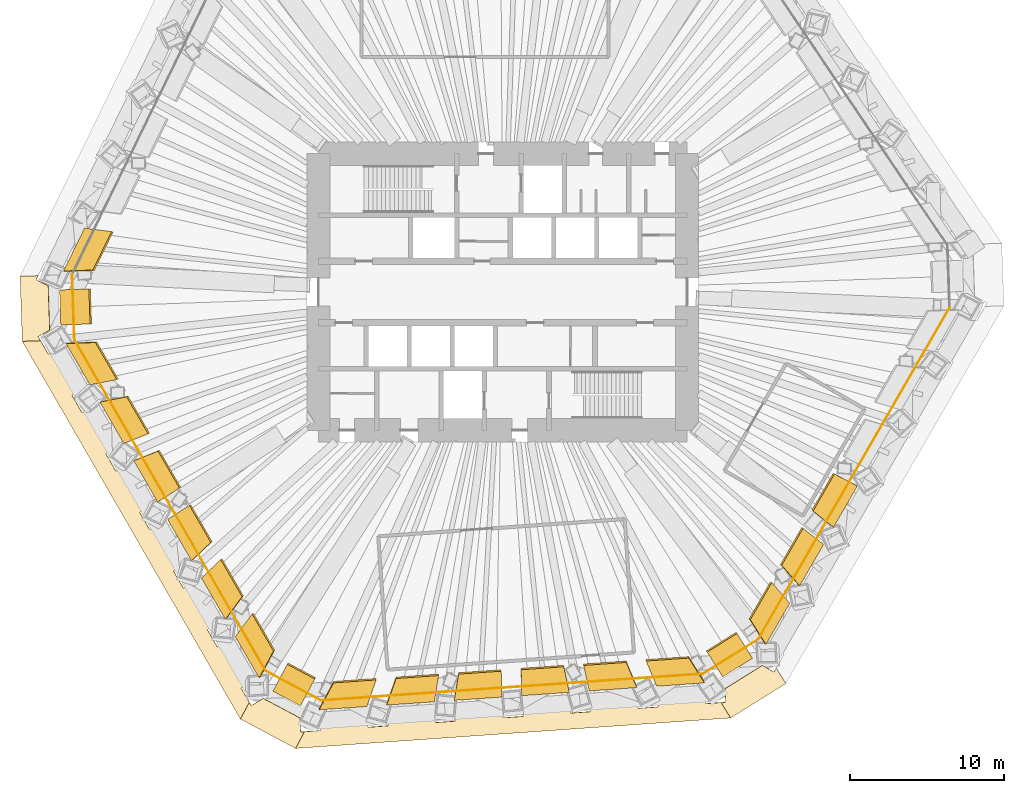
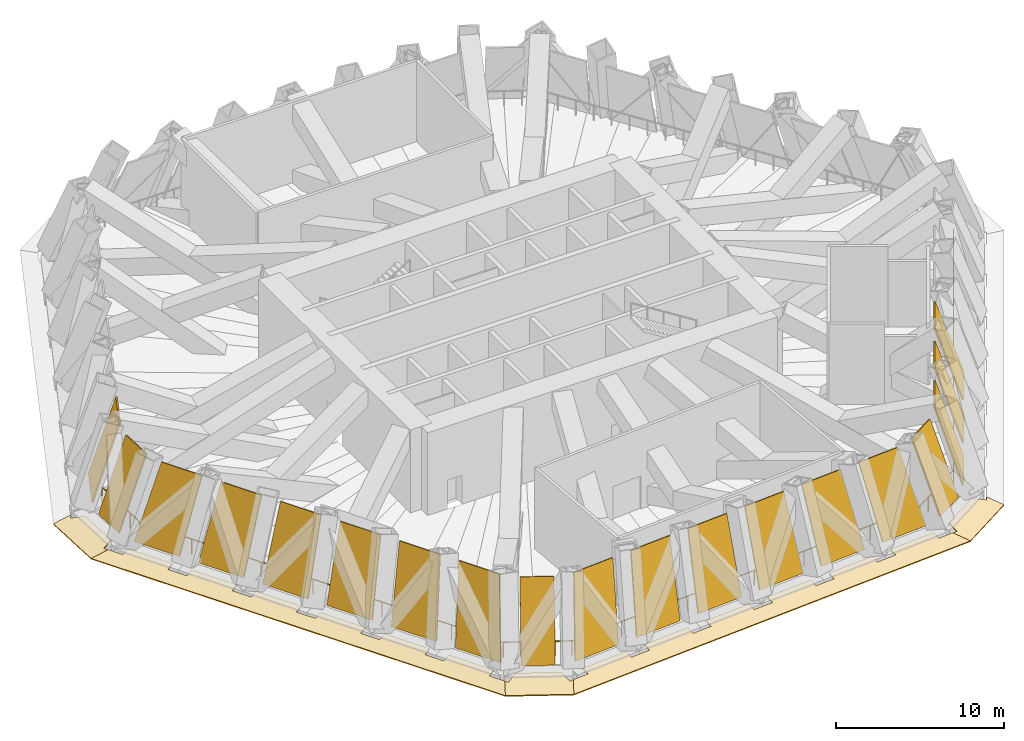
# One storey, part 9 of 12: 19 shading devices, 5 coverings, 3 railings.
"""IFC4 building model written with IfcOpenShell, lengths in metres."""

from ifc_helpers import new_model, si_unit, direction, frame, origin, origin_2d, place, context, subcontext, project, spatial, polyline, circle, outline, extrude, material, layer, layer_set, type_object, element, save


model = new_model("IFC4")

# Units and contexts
model_context = context("Model", 3, precision=1e-05, world=origin(), true_north=direction((0.0, 1.0)))
body_context = subcontext(model_context, "Body", "Model", "MODEL_VIEW")
ifc_project = project(units=[si_unit("LENGTHUNIT", "METRE"), si_unit("AREAUNIT", "SQUARE_METRE"), si_unit("VOLUMEUNIT", "CUBIC_METRE"), si_unit("PLANEANGLEUNIT", "RADIAN"), si_unit("MASSUNIT", "GRAM", prefix="KILO")], contexts=[model_context])

# Site, building, storey
site_placement = place(None, origin())
site = spatial("IfcSite", under=ifc_project, at=site_placement, CompositionType="ELEMENT")
building_placement = place(site_placement, origin())
building = spatial("IfcBuilding", under=site, at=building_placement, Name="Qingtian Harvest Tower", CompositionType="ELEMENT")
storey_placement = place(building_placement, frame((0.0, 0.0, 97.0)))
storey = spatial("IfcBuildingStorey", under=building, at=storey_placement, Name="L19", CompositionType="ELEMENT", Elevation=97.0)

# Coverings
ifc_material_1 = material(Name="Bronze-finished aluminium plate", Category="aluminium")
ifc_layer_1 = layer(ifc_material_1, 0.080078125)
ifc_layer_set_1 = layer_set([ifc_layer_1], Name="Bronze eave band EB1")
covering_type = type_object("IfcCoveringType", Name="Bronze eave band EB1", PredefinedType="CLADDING", material=ifc_layer_set_1)
covering_1_placement = place(storey_placement, frame((16.891357421875, -24.30859375, -0.02001953125), z_axis=(0.086578778586, -0.138550891532, 0.98656361455), x_axis=(0.856980490488, -0.494625849829, -0.144671032361)))
element("IfcCovering", 1, at=covering_1_placement, inside=storey, type_object=covering_type, Name="Eave band EB1 L19 6", PredefinedType="CLADDING", context=body_context, shape_type="SweptSolid", body=[
    extrude(outline(polyline([(0.0, 0.0), (0.8765792832818168, 3.122502256758253e-17), (0.8732014667460937, 0.30508666263732687), (1.940442904455375, -0.25486298476664976), (-0.02868468536317277, -4.007618090790937), (-1.095926123072454, -3.4476684433869607), (-0.8429409202208179, -3.277073746677067), (-1.3411268184701979, -2.5558508878264092), (0.0, 0.0)])), origin(), (0.0, 0.0, -1.0), 0.080078125),
])
covering_2_placement = place(storey_placement, frame((13.1689453125, -26.245361328125, -0.02001953125), z_axis=(0.012859222455, -0.183902989437, 0.982860280444), x_axis=(0.068506350061, -0.980469892943, -0.184352024764)))
element("IfcCovering", 2, at=covering_2_placement, inside=storey, type_object=covering_type, Name="Eave band EB1 L19 7", PredefinedType="CLADDING", context=body_context, shape_type="SweptSolid", body=[
    extrude(outline(polyline([(0.0, 0.0), (0.5594892336064078, -1.012204371968889e-18), (0.559562204505102, 0.9958249466618592), (1.6276597707511473, 1.5541398078624955), (1.6292668313243466, -26.839737161969342), (0.5608579824261716, -26.183650654053586), (0.5609760153206894, -25.127623894185593), (0.0012474091818248656, -25.127606876901872), (0.0010996459565344452, -22.022877501968175), (0.560828252095399, -22.022894519251896), (0.5606258427564047, -20.722843345960317), (0.0011366091499969144, -20.722843345960317), (0.0009721207415862576, -17.61835751785338), (0.5604613543479938, -17.618357517853376), (0.5604983175414565, -16.318323361845522), (0.000769711402591966, -16.3183063445618), (0.0006052229941811982, -13.213820516454863), (0.5603338291330456, -13.213837533738586), (0.5601314197940515, -11.913786360447007), (0.0006421861876436674, -11.913786360447007), (0.000494422962353247, -8.80905698551331), (0.5599836565687609, -8.809056985513312), (0.5600206197622235, -7.509022829505454), (0.00027528844023883003, -7.509249359048491), (0.0001275252149482431, -4.404519984114794), (0.5598561313538127, -4.404537001398516), (0.5596537220148186, -3.1044858281069376), (0.00016448840841076784, -3.1044858281069376), (0.0, 0.0)])), origin(), (0.0, 0.0, -1.0), 0.080078125),
])
covering_3_placement = place(storey_placement, frame((-13.2197265625, -27.72265625, -0.02001953125), z_axis=(-0.073736626397, -0.138687430148, 0.987587315961), x_axis=(0.069140003945, -0.988611277926, -0.133668997948)))
element("IfcCovering", 3, at=covering_3_placement, inside=storey, type_object=covering_type, Name="Eave band EB1 L19 8", PredefinedType="CLADDING", context=body_context, shape_type="SweptSolid", body=[
    extrude(outline(polyline([(0.0, 0.0), (0.92531192685137, 6.938893903907228e-18), (0.9224878200757912, 0.24460870106647173), (1.9894433460771281, -0.41383862087992146), (-0.14818839474556875, -3.878023211691239), (-1.2151439207469057, -3.2195758897448457), (-0.995186168499314, -3.112160793136606), (-1.4103044964655376, -2.285047036698811), (0.0, 0.0)])), origin(), (0.0, 0.0, -1.0), 0.080078125),
])
covering_4_placement = place(storey_placement, frame((-16.55859375, -25.519775390625, -0.02001953125), z_axis=(-0.159640931646, -0.092168455708, 0.9828630366), x_axis=(-0.851261884061, -0.491297215811, -0.184337327964)))
element("IfcCovering", 4, at=covering_4_placement, inside=storey, type_object=covering_type, Name="Eave band EB1 L19 9", PredefinedType="CLADDING", context=body_context, shape_type="SweptSolid", body=[
    extrude(outline(polyline([(0.0, 0.0), (0.5595222053729072, -1.3349239248727773e-18), (0.5594272865294432, 1.0562737255183898), (1.6276996747171812, 1.7125824002384986), (1.6319533323675428, -26.681235316006994), (0.5635393670438117, -26.12310614663641), (0.5634267656379323, -25.127427019759246), (0.0037846146556983484, -25.127638470350817), (0.0033776759005128554, -22.023015016660956), (0.562899881273421, -22.02301501666096), (0.562851937901013, -20.72293952939111), (0.0032097869187772687, -20.72315097998268), (0.0025950205551792394, -17.618405488216588), (0.5622371715374149, -17.618194037625017), (0.5620692825556793, -16.318330000946737), (0.0025470771827729166, -16.318330000946737), (0.0020201928182581597, -13.213917997848451), (0.5616623438004947, -13.213706547256876), (0.5612866272103466, -11.913720472502364), (0.0017644218374393006, -11.913720472502366), (0.0013574830822538075, -8.809097018812507), (0.5608796884551607, -8.809097018812507), (0.560711799473426, -7.509232982134229), (0.001189594100518665, -7.509232982134229), (0.0005748277369201915, -4.404487490368137), (0.5600970331098275, -4.404487490368137), (0.5600490897374212, -3.1044120030982856), (0.000406938755185271, -3.1046234536898587), (0.0, 0.0)])), origin(), (0.0, 0.0, -1.0), 0.080078125),
])
covering_5_placement = place(storey_placement, frame((-29.49755859375, -2.47412109375, -0.02001953125), z_axis=(-0.163277913761, -0.005703740629, 0.986563627051), x_axis=(-0.856968001357, -0.494642127535, -0.144689357997)))
element("IfcCovering", 5, at=covering_5_placement, inside=storey, type_object=covering_type, Name="Eave band EB1 L19 10", PredefinedType="CLADDING", context=body_context, shape_type="SweptSolid", body=[
    extrude(outline(polyline([(0.0, 0.0), (0.876579281122692, -1.3877787807814457e-17), (0.8730222980085772, 0.3054171634908191), (1.9405451750086526, -0.2544144888096018), (-0.027771148666725635, -4.007798399577208), (-1.0952940256668007, -3.4479667472767876), (-0.8420493505119075, -3.2771925069010055), (-1.3403976934228807, -2.5561621470138465), (0.0, 0.0)])), origin(), (0.0, 0.0, -1.0), 0.080078125),
])

# Shading devices
ifc_material_2 = material(Name="Bronze-finished aluminium lattice", Category="aluminium")
ifc_layer_2 = layer(ifc_material_2, 0.10009765625)
ifc_layer_set_2 = layer_set([ifc_layer_2], Name="Bronze lattice screen LS1")
shading_device_type = type_object("IfcShadingDeviceType", Name="Bronze lattice screen LS1", PredefinedType="USERDEFINED", material=ifc_layer_set_2)
shading_device_1_placement = place(storey_placement, frame((23.080322265625, -12.623779296875, 0.0), z_axis=(0.821571793426, -0.474350064883, 0.316246429532), x_axis=(-0.500008820247, -0.866020311276, -1.1534249e-05)))
element("IfcShadingDevice", 6, at=shading_device_1_placement, inside=storey, type_object=shading_device_type, Name="Lattice screen LS1 L19 SE3", ObjectType="SCREEN", PredefinedType="USERDEFINED", context=body_context, shape_type="SweptSolid", body=[
    extrude(outline(polyline([(0.0, 0.0), (3.1046234783228446, 0.0), (2.8584652454481763, -5.323288527691849), (0.07846609701636793, -5.323216981004349), (0.0, 0.0)])), origin(), (0.0, 0.0, -1.0), 0.10009765625),
])
shading_device_2_placement = place(storey_placement, frame((20.8779296875, -16.438232421875, 0.0), z_axis=(0.821576419685, -0.474352735942, 0.31623040417), x_axis=(-0.500008820584, -0.866020311081, -1.1533729e-05)))
element("IfcShadingDevice", 7, at=shading_device_2_placement, inside=storey, type_object=shading_device_type, Name="Lattice screen LS1 L19 SE4", ObjectType="SCREEN", PredefinedType="USERDEFINED", context=body_context, shape_type="SweptSolid", body=[
    extrude(outline(polyline([(0.0, 0.0), (3.1046234783228215, 1.1102230246251565e-16), (2.5339302771109797, -5.323254605357329), (-0.246068871320896, -5.323183062295361), (0.0, 0.0)])), origin(), (0.0, 0.0, -1.0), 0.10009765625),
])
shading_device_3_placement = place(storey_placement, frame((18.67578125, -20.252685546875, 0.0), z_axis=(0.821571119607, -0.474366309204, 0.316223813334), x_axis=(-0.500026552843, -0.86601007294, 4.34129e-06)))
element("IfcShadingDevice", 8, at=shading_device_3_placement, inside=storey, type_object=shading_device_type, Name="Lattice screen LS1 L19 SE5", ObjectType="SCREEN", PredefinedType="USERDEFINED", context=body_context, shape_type="SweptSolid", body=[
    extrude(outline(polyline([(0.0, 0.0), (3.1047455524448324, 5.551115123125783e-17), (2.2098434460605723, -5.323201358545361), (-0.5703671328505102, -5.323228288783848), (0.0, 0.0)])), origin(), (0.0, 0.0, -1.0), 0.10009765625),
])
shading_device_4_placement = place(storey_placement, frame((16.2470703125, -23.848876953125, 0.0), z_axis=(0.49574241706, -0.793408175005, 0.353189642773), x_axis=(-0.848067444785, -0.529888298484, 1.4997751e-05)))
element("IfcShadingDevice", 9, at=shading_device_4_placement, inside=storey, type_object=shading_device_type, Name="Lattice screen LS1 L19 SEC", ObjectType="SCREEN", PredefinedType="USERDEFINED", context=body_context, shape_type="SweptSolid", body=[
    extrude(outline(polyline([(0.0, 0.0), (2.2808069928052594, 0.0), (2.2809761828558526, -5.397899818210915), (3.982279022071491e-05, -5.397972947134961), (0.0, 0.0)])), origin(), (0.0, 0.0, -1.0), 0.10009765625),
])
shading_device_5_placement = place(storey_placement, frame((13.11328125, -25.447265625, 0.0), z_axis=(0.066159162263, -0.946379069471, 0.316211356714), x_axis=(-0.997565295658, -0.069738661347, -3.558278e-06)))
element("IfcShadingDevice", 10, at=shading_device_5_placement, inside=storey, type_object=shading_device_type, Name="Lattice screen LS1 L19 S0", ObjectType="SCREEN", PredefinedType="USERDEFINED", context=body_context, shape_type="SweptSolid", body=[
    extrude(outline(polyline([(0.0, 0.0), (3.1047293782543584, 1.3877787807814457e-17), (3.675233503610118, -5.323201958128884), (0.8950298278820137, -5.323179885315527), (0.0, 0.0)])), origin(), (0.0, 0.0, -1.0), 0.10009765625),
])
shading_device_6_placement = place(storey_placement, frame((8.71923828125, -25.75439453125, 0.0), z_axis=(0.06623977317, -0.946366812761, 0.316231162529), x_axis=(-0.997559329874, -0.069823945547, -3.039128e-06)))
element("IfcShadingDevice", 11, at=shading_device_6_placement, inside=storey, type_object=shading_device_type, Name="Lattice screen LS1 L19 S1", ObjectType="SCREEN", PredefinedType="USERDEFINED", context=body_context, shape_type="SweptSolid", body=[
    extrude(outline(polyline([(0.0, 0.0), (3.1045028718505, 0.0), (3.3505835451608945, -5.323235950531018), (0.5703628361568679, -5.323217098666618), (0.0, 0.0)])), origin(), (0.0, 0.0, -1.0), 0.10009765625),
])
shading_device_7_placement = place(storey_placement, frame((4.325439453125, -26.061767578125, 0.0), z_axis=(0.06616128698, -0.946370104361, 0.316237742334), x_axis=(-0.997565075789, -0.069741806308, -4.336147e-06)))
element("IfcShadingDevice", 12, at=shading_device_7_placement, inside=storey, type_object=shading_device_type, Name="Lattice screen LS1 L19 S2", ObjectType="SCREEN", PredefinedType="USERDEFINED", context=body_context, shape_type="SweptSolid", body=[
    extrude(outline(polyline([(0.0, 0.0), (3.1044858321728066, 0.0), (3.026172863096873, -5.323251355794248), (0.24596918751761862, -5.3232244585461475), (0.0, 0.0)])), origin(), (0.0, 0.0, -1.0), 0.10009765625),
])
shading_device_8_placement = place(storey_placement, frame((-0.068359375, -26.368896484375, 0.0), z_axis=(0.066200685784, -0.946370683515, 0.316227763779), x_axis=(-0.997561968179, -0.069786241141, -1.3807526e-05)))
element("IfcShadingDevice", 13, at=shading_device_8_placement, inside=storey, type_object=shading_device_type, Name="Lattice screen LS1 L19 S3", ObjectType="SCREEN", PredefinedType="USERDEFINED", context=body_context, shape_type="SweptSolid", body=[
    extrude(outline(polyline([(0.0, 0.0), (3.1047464136839538, -1.3877787807814457e-17), (2.7015413760605087, -5.323258179699426), (-0.07841874894167673, -5.323172531267167), (0.0, 0.0)])), origin(), (0.0, 0.0, -1.0), 0.10009765625),
])
shading_device_9_placement = place(storey_placement, frame((-4.46240234375, -26.67626953125, 0.0), z_axis=(0.066161672617, -0.946375620509, 0.316221153599), x_axis=(-0.9975650758, -0.069741806156, -4.335945e-06)))
element("IfcShadingDevice", 14, at=shading_device_9_placement, inside=storey, type_object=shading_device_type, Name="Lattice screen LS1 L19 S4", ObjectType="SCREEN", PredefinedType="USERDEFINED", context=body_context, shape_type="SweptSolid", body=[
    extrude(outline(polyline([(0.0, 0.0), (3.1044858321728035, 0.0), (2.377138485672099, -5.323217361073755), (-0.4030651899071657, -5.323190465236591), (0.0, 0.0)])), origin(), (0.0, 0.0, -1.0), 0.10009765625),
])
shading_device_10_placement = place(storey_placement, frame((-8.856201171875, -26.9833984375, 0.0), z_axis=(0.066203893827, -0.946377183821, 0.316207638089), x_axis=(-0.997562295504, -0.069781562817, 8.947907e-06)))
element("IfcShadingDevice", 15, at=shading_device_10_placement, inside=storey, type_object=shading_device_type, Name="Lattice screen LS1 L19 S5", ObjectType="SCREEN", PredefinedType="USERDEFINED", context=body_context, shape_type="SweptSolid", body=[
    extrude(outline(polyline([(0.0, 0.0), (3.1044858312216816, 0.0), (2.0526298125766873, -5.323161858661909), (-0.7273473497931475, -5.323217360069195), (0.0, 0.0)])), origin(), (0.0, 0.0, -1.0), 0.10009765625),
])
shading_device_11_placement = place(storey_placement, frame((-13.175537109375, -26.940185546875, 0.0), z_axis=(-0.436963244219, -0.821735056474, 0.365806807159), x_axis=(-0.882933575612, 0.469497924096, -1.80873e-05)))
element("IfcShadingDevice", 16, at=shading_device_11_placement, inside=storey, type_object=shading_device_type, Name="Lattice screen LS1 L19 SC", ObjectType="SCREEN", PredefinedType="USERDEFINED", context=body_context, shape_type="SweptSolid", body=[
    extrude(outline(polyline([(0.0, 0.0), (2.028709728066716, 0.0), (2.028708263998096, -5.426168906236796), (-0.00011608758524507665, -5.426090051008352), (0.0, 0.0)])), origin(), (0.0, 0.0, -1.0), 0.10009765625),
])
shading_device_12_placement = place(storey_placement, frame((-15.86572265625, -25.11962890625, 0.0), z_axis=(-0.82158086879, -0.474355304717, 0.31621499162), x_axis=(-0.500012225845, 0.866018345074, -2.62315e-07)))
element("IfcShadingDevice", 17, at=shading_device_12_placement, inside=storey, type_object=shading_device_type, Name="Lattice screen LS1 L19 SW0", ObjectType="SCREEN", PredefinedType="USERDEFINED", context=body_context, shape_type="SweptSolid", body=[
    extrude(outline(polyline([(0.0, 0.0), (3.104412047822795, 5.551115123125783e-17), (3.8319018852530604, -5.3231960310698385), (1.0516913058864854, -5.323194403955794), (0.0, 0.0)])), origin(), (0.0, 0.0, -1.0), 0.10009765625),
])
shading_device_13_placement = place(storey_placement, frame((-18.068115234375, -21.30517578125, 0.0), z_axis=(-0.821576242706, -0.47435263376, 0.316231017242), x_axis=(-0.500012225853, 0.86601834507, -2.62326e-07)))
element("IfcShadingDevice", 18, at=shading_device_13_placement, inside=storey, type_object=shading_device_type, Name="Lattice screen LS1 L19 SW1", ObjectType="SCREEN", PredefinedType="USERDEFINED", context=body_context, shape_type="SweptSolid", body=[
    extrude(outline(polyline([(0.0, 0.0), (3.1044120478227946, 0.0), (3.507366913164892, -5.323225914920754), (0.7271563337983169, -5.323224287724249), (0.0, 0.0)])), origin(), (0.0, 0.0, -1.0), 0.10009765625),
])
shading_device_14_placement = place(storey_placement, frame((-20.270263671875, -17.49072265625, 0.0), z_axis=(-0.821559310966, -0.474382215918, 0.316230630688), x_axis=(-0.500042721286, 0.866000737231, 1.882047e-06)))
element("IfcShadingDevice", 19, at=shading_device_14_placement, inside=storey, type_object=shading_device_type, Name="Lattice screen LS1 L19 SW2", ObjectType="SCREEN", PredefinedType="USERDEFINED", context=body_context, shape_type="SweptSolid", body=[
    extrude(outline(polyline([(0.0, 0.0), (3.1047455526824264, 5.551115123125783e-17), (3.182905568048049, -5.323217907651756), (0.40290641647543124, -5.3232295821253945), (0.0, 0.0)])), origin(), (0.0, 0.0, -1.0), 0.10009765625),
])
shading_device_15_placement = place(storey_placement, frame((-22.47265625, -13.67626953125, 0.0), z_axis=(-0.82157730952, -0.474353249705, 0.31622732168), x_axis=(-0.500008820649, 0.866020311044, 1.1533629e-05)))
element("IfcShadingDevice", 20, at=shading_device_15_placement, inside=storey, type_object=shading_device_type, Name="Lattice screen LS1 L19 SW3", ObjectType="SCREEN", PredefinedType="USERDEFINED", context=body_context, shape_type="SweptSolid", body=[
    extrude(outline(polyline([(0.0, 0.0), (3.1046234783228166, -5.551115123125783e-17), (2.8584852312647255, -5.323183281225539), (0.07848608283283623, -5.323254823590133), (0.0, 0.0)])), origin(), (0.0, 0.0, -1.0), 0.10009765625),
])
shading_device_16_placement = place(storey_placement, frame((-24.675048828125, -9.86181640625, 0.0), z_axis=(-0.821579130356, -0.474331577439, 0.316255098311), x_axis=(-0.499992652289, 0.86602964593, 5.310939e-06)))
element("IfcShadingDevice", 21, at=shading_device_16_placement, inside=storey, type_object=shading_device_type, Name="Lattice screen LS1 L19 SW4", ObjectType="SCREEN", PredefinedType="USERDEFINED", context=body_context, shape_type="SweptSolid", body=[
    extrude(outline(polyline([(0.0, 0.0), (3.1046234799500088, 0.0), (2.5341616965631557, -5.323255802080069), (-0.24604888212103973, -5.323288747002645), (0.0, 0.0)])), origin(), (0.0, 0.0, -1.0), 0.10009765625),
])
shading_device_17_placement = place(storey_placement, frame((-26.877197265625, -6.04736328125, 0.0), z_axis=(-0.821584495164, -0.474334674765, 0.31623651532), x_axis=(-0.499992652469, 0.866029645826, 5.310662e-06)))
element("IfcShadingDevice", 22, at=shading_device_17_placement, inside=storey, type_object=shading_device_type, Name="Lattice screen LS1 L19 SW5", ObjectType="SCREEN", PredefinedType="USERDEFINED", context=body_context, shape_type="SweptSolid", body=[
    extrude(outline(polyline([(0.0, 0.0), (3.104623479950003, 5.551115123125783e-17), (2.2097487935462645, -5.3232228589056625), (-0.5704617851379477, -5.323255801892412), (0.0, 0.0)])), origin(), (0.0, 0.0, -1.0), 0.10009765625),
])
shading_device_18_placement = place(storey_placement, frame((-28.77734375, -2.14599609375, 0.0), z_axis=(-0.934971071986, -0.032644379294, 0.353218684458), x_axis=(-0.03489359289, 0.999391033167, 0.0)))
element("IfcShadingDevice", 23, at=shading_device_18_placement, inside=storey, type_object=shading_device_type, Name="Lattice screen LS1 L19 SWC", ObjectType="SCREEN", PredefinedType="USERDEFINED", context=body_context, shape_type="SweptSolid", body=[
    extrude(outline(polyline([(0.0, 0.0), (2.2809300263587233, -3.469446951953614e-18), (2.2808054825394404, -5.397999646305838), (-0.00012454381928279912, -5.397999646305838), (0.0, 0.0)])), origin(), (0.0, 0.0, -1.0), 0.10009765625),
])
shading_device_19_placement = place(storey_placement, frame((-28.594482421875, 1.3671875, 0.0), z_axis=(-0.852682507188, 0.415852451925, 0.316226627854), x_axis=(0.438344255336, 0.898807161599, -8.485391e-06)))
element("IfcShadingDevice", 24, at=shading_device_19_placement, inside=storey, type_object=shading_device_type, Name="Lattice screen LS1 L19 NW0", ObjectType="SCREEN", PredefinedType="USERDEFINED", context=body_context, shape_type="SweptSolid", body=[
    extrude(outline(polyline([(0.0, 0.0), (3.1046622891409137, 1.1102230246251565e-16), (3.67518145142701, -5.3232496076258915), (0.8950286629493142, -5.323196971578181), (0.0, 0.0)])), origin(), (0.0, 0.0, -1.0), 0.10009765625),
])

# Railings
ifc_material_3 = material(Name="Galvanised steel guard", Category="steel")
railing_type = type_object("IfcRailingType", Name="Setback roof guard GR4 1100", PredefinedType="GUARDRAIL", material=ifc_material_3)
railing_1_placement = place(storey_placement, frame((29.08642578125, -1.020751953125, 0.0)))
element("IfcRailing", 25, at=railing_1_placement, inside=storey, type_object=railing_type, Name="Setback roof guard GR4 L19 SE", PredefinedType="GUARDRAIL", context=body_context, shape_type="SweptSolid", body=[
    extrude(circle(Radius=0.02392578125, at=origin_2d()), frame((0.0, 0.0, 1.076171875), z_axis=(-0.500002262721, -0.866024097398, 0.0), x_axis=(0.866024097398, -0.500002262721, 0.0)), (0.0, 0.0, 1.0), 24.92431640625),
    extrude(circle(Radius=0.02392578125, at=origin_2d()), frame((-12.462158203125, -21.5849609375, 1.076171875), z_axis=(-0.848040374245, -0.529931621675, 0.0), x_axis=(0.529931621675, -0.848040374245, 0.0)), (0.0, 0.0, 1.0), 4.238037109375),
    extrude(circle(Radius=0.02099609375, at=origin_2d()), origin(), (0.0, 0.0, 1.0), 1.052001953125),
    extrude(circle(Radius=0.02099609375, at=origin_2d()), frame((-0.593505859375, -1.02783203125, 0.0)), (0.0, 0.0, 1.0), 1.052001953125),
    extrude(circle(Radius=0.02099609375, at=origin_2d()), frame((-1.186767578125, -2.0556640625, 0.0)), (0.0, 0.0, 1.0), 1.052001953125),
    extrude(circle(Radius=0.02099609375, at=origin_2d()), frame((-1.7802734375, -3.08349609375, 0.0)), (0.0, 0.0, 1.0), 1.052001953125),
    extrude(circle(Radius=0.02099609375, at=origin_2d()), frame((-2.373779296875, -4.111328125, 0.0)), (0.0, 0.0, 1.0), 1.052001953125),
    extrude(circle(Radius=0.02099609375, at=origin_2d()), frame((-2.96728515625, -5.13916015625, 0.0)), (0.0, 0.0, 1.0), 1.052001953125),
    extrude(circle(Radius=0.02099609375, at=origin_2d()), frame((-3.560546875, -6.167236328125, 0.0)), (0.0, 0.0, 1.0), 1.052001953125),
    extrude(circle(Radius=0.02099609375, at=origin_2d()), frame((-4.154052734375, -7.195068359375, 0.0)), (0.0, 0.0, 1.0), 1.052001953125),
    extrude(circle(Radius=0.02099609375, at=origin_2d()), frame((-4.74755859375, -8.222900390625, 0.0)), (0.0, 0.0, 1.0), 1.052001953125),
    extrude(circle(Radius=0.02099609375, at=origin_2d()), frame((-5.3408203125, -9.250732421875, 0.0)), (0.0, 0.0, 1.0), 1.052001953125),
    extrude(circle(Radius=0.02099609375, at=origin_2d()), frame((-5.934326171875, -10.278564453125, 0.0)), (0.0, 0.0, 1.0), 1.052001953125),
    extrude(circle(Radius=0.02099609375, at=origin_2d()), frame((-6.52783203125, -11.306396484375, 0.0)), (0.0, 0.0, 1.0), 1.052001953125),
    extrude(circle(Radius=0.02099609375, at=origin_2d()), frame((-7.121337890625, -12.334228515625, 0.0)), (0.0, 0.0, 1.0), 1.052001953125),
    extrude(circle(Radius=0.02099609375, at=origin_2d()), frame((-7.714599609375, -13.362060546875, 0.0)), (0.0, 0.0, 1.0), 1.052001953125),
    extrude(circle(Radius=0.02099609375, at=origin_2d()), frame((-8.30810546875, -14.389892578125, 0.0)), (0.0, 0.0, 1.0), 1.052001953125),
    extrude(circle(Radius=0.02099609375, at=origin_2d()), frame((-8.901611328125, -15.417724609375, 0.0)), (0.0, 0.0, 1.0), 1.052001953125),
    extrude(circle(Radius=0.02099609375, at=origin_2d()), frame((-9.494873046875, -16.44580078125, 0.0)), (0.0, 0.0, 1.0), 1.052001953125),
    extrude(circle(Radius=0.02099609375, at=origin_2d()), frame((-10.08837890625, -17.4736328125, 0.0)), (0.0, 0.0, 1.0), 1.052001953125),
    extrude(circle(Radius=0.02099609375, at=origin_2d()), frame((-10.681884765625, -18.50146484375, 0.0)), (0.0, 0.0, 1.0), 1.052001953125),
    extrude(circle(Radius=0.02099609375, at=origin_2d()), frame((-11.275390625, -19.529296875, 0.0)), (0.0, 0.0, 1.0), 1.052001953125),
    extrude(circle(Radius=0.02099609375, at=origin_2d()), frame((-11.86865234375, -20.55712890625, 0.0)), (0.0, 0.0, 1.0), 1.052001953125),
    extrude(circle(Radius=0.02099609375, at=origin_2d()), frame((-12.462158203125, -21.5849609375, 0.0)), (0.0, 0.0, 1.0), 1.052001953125),
    extrude(circle(Radius=0.02099609375, at=origin_2d()), frame((-13.360595703125, -22.146484375, 0.0)), (0.0, 0.0, 1.0), 1.052001953125),
    extrude(circle(Radius=0.02099609375, at=origin_2d()), frame((-14.25927734375, -22.7080078125, 0.0)), (0.0, 0.0, 1.0), 1.052001953125),
    extrude(circle(Radius=0.02099609375, at=origin_2d()), frame((-15.15771484375, -23.269287109375, 0.0)), (0.0, 0.0, 1.0), 1.052001953125),
    extrude(circle(Radius=0.02099609375, at=origin_2d()), frame((-16.05615234375, -23.830810546875, 0.0)), (0.0, 0.0, 1.0), 1.052001953125),
])
railing_2_placement = place(storey_placement, frame((13.0302734375, -24.8515625, 0.0)))
element("IfcRailing", 26, at=railing_2_placement, inside=storey, type_object=railing_type, Name="Setback roof guard GR4 L19 S", PredefinedType="GUARDRAIL", context=body_context, shape_type="SweptSolid", body=[
    extrude(circle(Radius=0.02392578125, at=origin_2d()), frame((0.0, 0.0, 1.076171875), z_axis=(-0.997564286458, -0.069753095875, 0.0), x_axis=(0.069753095875, -0.997564286458, 0.0)), (0.0, 0.0, 1.0), 24.924072265625),
    extrude(circle(Radius=0.02392578125, at=origin_2d()), frame((-24.86328125, -1.738525390625, 1.076171875), z_axis=(-0.882968133669, 0.469432929101, 0.0), x_axis=(-0.469432929101, -0.882968133669, 0.0)), (0.0, 0.0, 1.0), 4.070556640625),
    extrude(circle(Radius=0.02099609375, at=origin_2d()), origin(), (0.0, 0.0, 1.0), 1.052001953125),
    extrude(circle(Radius=0.02099609375, at=origin_2d()), frame((-1.18408203125, -0.082763671875, 0.0)), (0.0, 0.0, 1.0), 1.052001953125),
    extrude(circle(Radius=0.02099609375, at=origin_2d()), frame((-2.367919921875, -0.16552734375, 0.0)), (0.0, 0.0, 1.0), 1.052001953125),
    extrude(circle(Radius=0.02099609375, at=origin_2d()), frame((-3.552001953125, -0.248291015625, 0.0)), (0.0, 0.0, 1.0), 1.052001953125),
    extrude(circle(Radius=0.02099609375, at=origin_2d()), frame((-4.73583984375, -0.3310546875, 0.0)), (0.0, 0.0, 1.0), 1.052001953125),
    extrude(circle(Radius=0.02099609375, at=origin_2d()), frame((-5.919921875, -0.413818359375, 0.0)), (0.0, 0.0, 1.0), 1.052001953125),
    extrude(circle(Radius=0.02099609375, at=origin_2d()), frame((-7.103759765625, -0.496826171875, 0.0)), (0.0, 0.0, 1.0), 1.052001953125),
    extrude(circle(Radius=0.02099609375, at=origin_2d()), frame((-8.287841796875, -0.57958984375, 0.0)), (0.0, 0.0, 1.0), 1.052001953125),
    extrude(circle(Radius=0.02099609375, at=origin_2d()), frame((-9.4716796875, -0.662353515625, 0.0)), (0.0, 0.0, 1.0), 1.052001953125),
    extrude(circle(Radius=0.02099609375, at=origin_2d()), frame((-10.65576171875, -0.7451171875, 0.0)), (0.0, 0.0, 1.0), 1.052001953125),
    extrude(circle(Radius=0.02099609375, at=origin_2d()), frame((-11.839599609375, -0.827880859375, 0.0)), (0.0, 0.0, 1.0), 1.052001953125),
    extrude(circle(Radius=0.02099609375, at=origin_2d()), frame((-13.023681640625, -0.91064453125, 0.0)), (0.0, 0.0, 1.0), 1.052001953125),
    extrude(circle(Radius=0.02099609375, at=origin_2d()), frame((-14.20751953125, -0.993408203125, 0.0)), (0.0, 0.0, 1.0), 1.052001953125),
    extrude(circle(Radius=0.02099609375, at=origin_2d()), frame((-15.3916015625, -1.076171875, 0.0)), (0.0, 0.0, 1.0), 1.052001953125),
    extrude(circle(Radius=0.02099609375, at=origin_2d()), frame((-16.575439453125, -1.158935546875, 0.0)), (0.0, 0.0, 1.0), 1.052001953125),
    extrude(circle(Radius=0.02099609375, at=origin_2d()), frame((-17.759521484375, -1.24169921875, 0.0)), (0.0, 0.0, 1.0), 1.052001953125),
    extrude(circle(Radius=0.02099609375, at=origin_2d()), frame((-18.943359375, -1.32470703125, 0.0)), (0.0, 0.0, 1.0), 1.052001953125),
    extrude(circle(Radius=0.02099609375, at=origin_2d()), frame((-20.12744140625, -1.407470703125, 0.0)), (0.0, 0.0, 1.0), 1.052001953125),
    extrude(circle(Radius=0.02099609375, at=origin_2d()), frame((-21.311279296875, -1.490234375, 0.0)), (0.0, 0.0, 1.0), 1.052001953125),
    extrude(circle(Radius=0.02099609375, at=origin_2d()), frame((-22.495361328125, -1.572998046875, 0.0)), (0.0, 0.0, 1.0), 1.052001953125),
    extrude(circle(Radius=0.02099609375, at=origin_2d()), frame((-23.67919921875, -1.65576171875, 0.0)), (0.0, 0.0, 1.0), 1.052001953125),
    extrude(circle(Radius=0.02099609375, at=origin_2d()), frame((-24.86328125, -1.738525390625, 0.0)), (0.0, 0.0, 1.0), 1.052001953125),
    extrude(circle(Radius=0.02099609375, at=origin_2d()), frame((-25.76171875, -1.2607421875, 0.0)), (0.0, 0.0, 1.0), 1.052001953125),
    extrude(circle(Radius=0.02099609375, at=origin_2d()), frame((-26.660400390625, -0.783203125, 0.0)), (0.0, 0.0, 1.0), 1.052001953125),
    extrude(circle(Radius=0.02099609375, at=origin_2d()), frame((-27.55908203125, -0.305419921875, 0.0)), (0.0, 0.0, 1.0), 1.052001953125),
    extrude(circle(Radius=0.02099609375, at=origin_2d()), frame((-28.45751953125, 0.17236328125, 0.0)), (0.0, 0.0, 1.0), 1.052001953125),
])
railing_3_placement = place(storey_placement, frame((-15.42724609375, -24.67919921875, 0.0)))
element("IfcRailing", 27, at=railing_3_placement, inside=storey, type_object=railing_type, Name="Setback roof guard GR4 L19 SW", PredefinedType="GUARDRAIL", context=body_context, shape_type="SweptSolid", body=[
    extrude(circle(Radius=0.02392578125, at=origin_2d()), frame((0.0, 0.0, 1.076171875), z_axis=(-0.500002262721, 0.866024097398, 0.0), x_axis=(-0.866024097398, -0.500002262721, 0.0)), (0.0, 0.0, 1.0), 24.92431640625),
    extrude(circle(Radius=0.02392578125, at=origin_2d()), frame((-12.462158203125, 21.5849609375, 1.076171875), z_axis=(-0.034851142499, 0.999392514414, 0.0), x_axis=(-0.999392514414, -0.034851142499, 0.0)), (0.0, 0.0, 1.0), 4.23828125),
    extrude(circle(Radius=0.02099609375, at=origin_2d()), origin(), (0.0, 0.0, 1.0), 1.052001953125),
    extrude(circle(Radius=0.02099609375, at=origin_2d()), frame((-0.593505859375, 1.02783203125, 0.0)), (0.0, 0.0, 1.0), 1.052001953125),
    extrude(circle(Radius=0.02099609375, at=origin_2d()), frame((-1.186767578125, 2.0556640625, 0.0)), (0.0, 0.0, 1.0), 1.052001953125),
    extrude(circle(Radius=0.02099609375, at=origin_2d()), frame((-1.7802734375, 3.08349609375, 0.0)), (0.0, 0.0, 1.0), 1.052001953125),
    extrude(circle(Radius=0.02099609375, at=origin_2d()), frame((-2.373779296875, 4.111328125, 0.0)), (0.0, 0.0, 1.0), 1.052001953125),
    extrude(circle(Radius=0.02099609375, at=origin_2d()), frame((-2.96728515625, 5.13916015625, 0.0)), (0.0, 0.0, 1.0), 1.052001953125),
    extrude(circle(Radius=0.02099609375, at=origin_2d()), frame((-3.560546875, 6.167236328125, 0.0)), (0.0, 0.0, 1.0), 1.052001953125),
    extrude(circle(Radius=0.02099609375, at=origin_2d()), frame((-4.154052734375, 7.195068359375, 0.0)), (0.0, 0.0, 1.0), 1.052001953125),
    extrude(circle(Radius=0.02099609375, at=origin_2d()), frame((-4.74755859375, 8.222900390625, 0.0)), (0.0, 0.0, 1.0), 1.052001953125),
    extrude(circle(Radius=0.02099609375, at=origin_2d()), frame((-5.3408203125, 9.250732421875, 0.0)), (0.0, 0.0, 1.0), 1.052001953125),
    extrude(circle(Radius=0.02099609375, at=origin_2d()), frame((-5.934326171875, 10.278564453125, 0.0)), (0.0, 0.0, 1.0), 1.052001953125),
    extrude(circle(Radius=0.02099609375, at=origin_2d()), frame((-6.52783203125, 11.306396484375, 0.0)), (0.0, 0.0, 1.0), 1.052001953125),
    extrude(circle(Radius=0.02099609375, at=origin_2d()), frame((-7.121337890625, 12.334228515625, 0.0)), (0.0, 0.0, 1.0), 1.052001953125),
    extrude(circle(Radius=0.02099609375, at=origin_2d()), frame((-7.714599609375, 13.362060546875, 0.0)), (0.0, 0.0, 1.0), 1.052001953125),
    extrude(circle(Radius=0.02099609375, at=origin_2d()), frame((-8.30810546875, 14.389892578125, 0.0)), (0.0, 0.0, 1.0), 1.052001953125),
    extrude(circle(Radius=0.02099609375, at=origin_2d()), frame((-8.901611328125, 15.417724609375, 0.0)), (0.0, 0.0, 1.0), 1.052001953125),
    extrude(circle(Radius=0.02099609375, at=origin_2d()), frame((-9.494873046875, 16.44580078125, 0.0)), (0.0, 0.0, 1.0), 1.052001953125),
    extrude(circle(Radius=0.02099609375, at=origin_2d()), frame((-10.08837890625, 17.4736328125, 0.0)), (0.0, 0.0, 1.0), 1.052001953125),
    extrude(circle(Radius=0.02099609375, at=origin_2d()), frame((-10.681884765625, 18.50146484375, 0.0)), (0.0, 0.0, 1.0), 1.052001953125),
    extrude(circle(Radius=0.02099609375, at=origin_2d()), frame((-11.275390625, 19.529296875, 0.0)), (0.0, 0.0, 1.0), 1.052001953125),
    extrude(circle(Radius=0.02099609375, at=origin_2d()), frame((-11.86865234375, 20.55712890625, 0.0)), (0.0, 0.0, 1.0), 1.052001953125),
    extrude(circle(Radius=0.02099609375, at=origin_2d()), frame((-12.462158203125, 21.5849609375, 0.0)), (0.0, 0.0, 1.0), 1.052001953125),
    extrude(circle(Radius=0.02099609375, at=origin_2d()), frame((-12.4990234375, 22.643798828125, 0.0)), (0.0, 0.0, 1.0), 1.052001953125),
    extrude(circle(Radius=0.02099609375, at=origin_2d()), frame((-12.5361328125, 23.70263671875, 0.0)), (0.0, 0.0, 1.0), 1.052001953125),
    extrude(circle(Radius=0.02099609375, at=origin_2d()), frame((-12.572998046875, 24.76171875, 0.0)), (0.0, 0.0, 1.0), 1.052001953125),
    extrude(circle(Radius=0.02099609375, at=origin_2d()), frame((-12.60986328125, 25.820556640625, 0.0)), (0.0, 0.0, 1.0), 1.052001953125),
])

save(model, "model.ifc")
